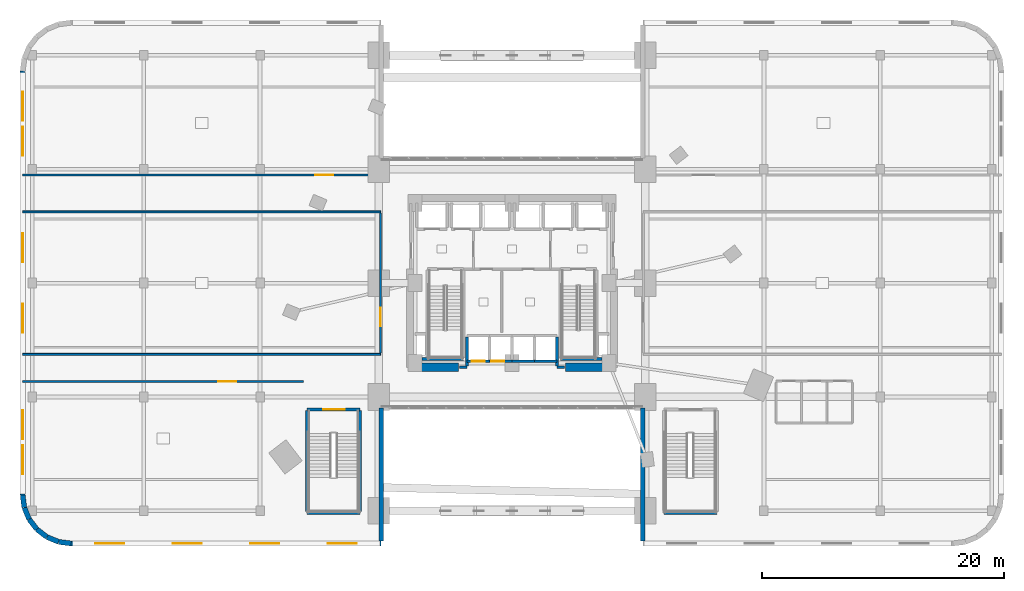
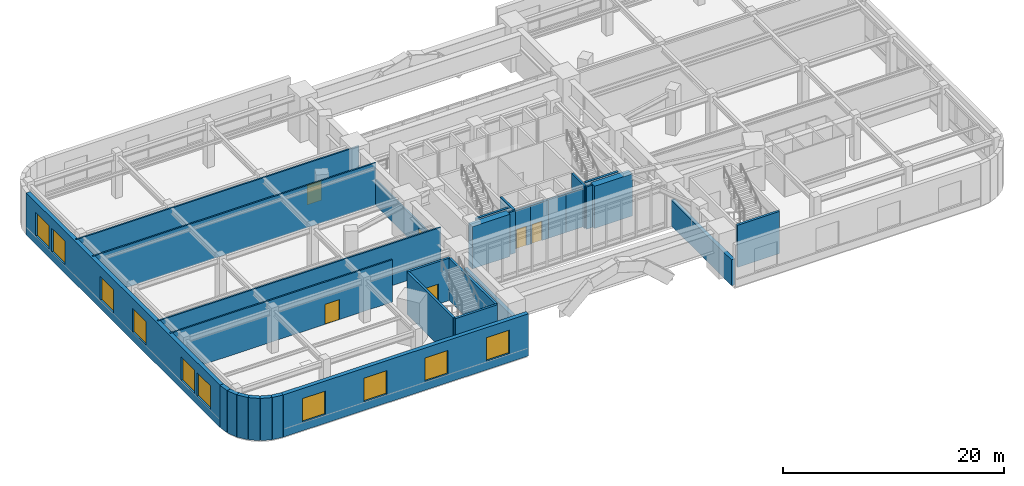
# One storey, part 19 of 25: 32 walls, 10 windows, 6 doors, 16 openings.
"""IFC4 building model written with IfcOpenShell, lengths in metres."""

import ifcopenshell
import ifcopenshell.guid

model = None  # the IFC model being written
_history = None  # IfcOwnerHistory: only IFC2X3 demands one
_inside = {}  # id of a spatial element -> (the spatial element, [elements in it])
_under = {}  # id of a project, library or spatial element -> (it, [spatial elements below it])
_declared = {}  # id of a project -> (the project, [libraries it declares])
_typed = {}  # id of a type object -> (the type object, [elements of that type])
_made_of = {}  # id of a material, layer set ... -> (it, [elements and type objects made of it])


def new_model(schema):
    """Start an empty IFC model of exactly this schema.

    Asked for "IFC4X3", IfcOpenShell would pick the latest addendum, in which some entities
    have other attributes; the version numbers below select the first issue.
    IFC2X3 requires an IfcOwnerHistory on every rooted entity: one is made here for all.
    """
    global model, _history
    if schema == "IFC4X3":
        model = ifcopenshell.file(schema_version=(4, 3, 0, 0))
    else:
        model = ifcopenshell.file(schema=schema)
    _inside.clear()
    _under.clear()
    _declared.clear()
    _typed.clear()
    _made_of.clear()
    _history = None
    if model.schema == "IFC2X3":
        org = make("IfcOrganization", Name="unknown")
        user = make(
            "IfcPersonAndOrganization",
            ThePerson=make("IfcPerson", FamilyName="unknown"),
            TheOrganization=org,
        )
        app = make(
            "IfcApplication",
            ApplicationDeveloper=org,
            Version="unknown",
            ApplicationFullName="unknown",
            ApplicationIdentifier="unknown",
        )
        _history = make(
            "IfcOwnerHistory",
            OwningUser=user,
            OwningApplication=app,
            ChangeAction="ADDED",
            CreationDate=0,
        )
    return model


def make(cls, **values):
    """One entity of the class cls with the attributes given. An attribute that is None is left unset."""
    return model.create_entity(
        cls, **{name: value for name, value in values.items() if value is not None}
    )


def rooted(cls, **values):
    """An entity with a GlobalId (a new one), such as an element, a storey or a relation."""
    return make(cls, GlobalId=ifcopenshell.guid.new(), OwnerHistory=_history, **values)


def si_unit(unit_type, name, prefix=None):
    """IfcSIUnit, for example si_unit("LENGTHUNIT", "METRE", prefix="MILLI")."""
    return make("IfcSIUnit", UnitType=unit_type, Prefix=prefix, Name=name)


def assignment(units):
    """IfcUnitAssignment: the units of a project."""
    return None if units is None else make("IfcUnitAssignment", Units=units)


def point(xyz):
    """IfcCartesianPoint."""
    return None if xyz is None else make("IfcCartesianPoint", Coordinates=xyz)


def direction(xyz):
    """IfcDirection."""
    return None if xyz is None else make("IfcDirection", DirectionRatios=xyz)


def frame(location, z_axis=None, x_axis=None):
    """IfcAxis2Placement3D, a coordinate frame: its origin and axes. An axis left out is left unset."""
    return make(
        "IfcAxis2Placement3D",
        Location=point(location),
        Axis=direction(z_axis),
        RefDirection=direction(x_axis),
    )


def frame_2d(location, x_axis=None):
    """IfcAxis2Placement2D, a coordinate frame in the plane: its origin and x axis."""
    return make(
        "IfcAxis2Placement2D", Location=point(location), RefDirection=direction(x_axis)
    )


def origin():
    """The frame at (0, 0, 0) with its axes left unset."""
    return frame((0.0, 0.0, 0.0))


def place(relative_to, where):
    """IfcLocalPlacement: puts the frame where relative to a parent placement (None: the world)."""
    return make(
        "IfcLocalPlacement", PlacementRelTo=relative_to, RelativePlacement=where
    )


def context(
    kind, dimensions, precision=None, world=None, true_north=None, identifier=None
):
    """IfcGeometricRepresentationContext, for example the 3D "Model" context."""
    return make(
        "IfcGeometricRepresentationContext",
        ContextIdentifier=identifier,
        ContextType=kind,
        CoordinateSpaceDimension=dimensions,
        Precision=precision,
        WorldCoordinateSystem=world,
        TrueNorth=true_north,
    )


def subcontext(parent, identifier, kind, view, scale=None):
    """IfcGeometricRepresentationSubContext, for example "Body" below "Model"."""
    return make(
        "IfcGeometricRepresentationSubContext",
        ContextIdentifier=identifier,
        ContextType=kind,
        ParentContext=parent,
        TargetScale=scale,
        TargetView=view,
    )


def project(units=None, contexts=None):
    """IfcProject with its units and contexts."""
    return rooted(
        "IfcProject",
        Name="project",
        RepresentationContexts=contexts,
        UnitsInContext=assignment(units),
    )


def spatial(cls, under=None, at=None, **own):
    """A site, building, storey or space (cls), placed at a placement, below another one or the project."""
    s = rooted(cls, ObjectPlacement=at, **own)
    if under is not None:
        _under.setdefault(under.id(), (under, []))[1].append(s)
    return s


def profile(cls, at=None, kind="AREA", **sizes):
    """A parametric profile (cls). Its sizes go by their IFC names, for example OverallWidth=200.0."""
    return make(cls, ProfileType=kind, Position=at, **sizes)


def rectangle(**sizes):
    """IfcRectangleProfileDef."""
    return profile("IfcRectangleProfileDef", **sizes)


def extrude(swept, where, along, depth):
    """IfcExtrudedAreaSolid: the profile swept, set in the frame where, extruded along a direction by depth."""
    return make(
        "IfcExtrudedAreaSolid",
        SweptArea=swept,
        Position=where,
        ExtrudedDirection=direction(along),
        Depth=depth,
    )


def shape(context_of_items, identifier, shape_type, items):
    """IfcShapeRepresentation: the items that make up one representation, for example the "Body"."""
    return make(
        "IfcShapeRepresentation",
        ContextOfItems=context_of_items,
        RepresentationIdentifier=identifier,
        RepresentationType=shape_type,
        Items=items,
    )


def material(Name=None, Category=None):
    """IfcMaterial."""
    return make("IfcMaterial", Name=Name, Category=Category)


def layer(
    of_material, thickness, ventilated=None, Name=None, Category=None, Priority=None
):
    """IfcMaterialLayer: one layer of a wall or slab, of a material (None: an air gap)."""
    return make(
        "IfcMaterialLayer",
        Material=of_material,
        LayerThickness=thickness,
        IsVentilated=ventilated,
        Name=Name,
        Category=Category,
        Priority=Priority,
    )


def layer_set(layers, Name=None):
    """IfcMaterialLayerSet."""
    return make("IfcMaterialLayerSet", MaterialLayers=layers, LayerSetName=Name)


def made_of(thing, what):
    """Note that an element or type object is made of a material, layer set ...; save() writes the relation."""
    if what is not None:
        _made_of.setdefault(what.id(), (what, []))[1].append(thing)
    return thing


def type_object(cls, material=None, **own):
    """A type object (cls), such as IfcWallType, which elements share."""
    return made_of(rooted(cls, **own), material)


def element(
    cls,
    number,
    at=None,
    inside=None,
    cuts=None,
    type_object=None,
    material=None,
    context=None,
    identifier="Body",
    shape_type=None,
    held_by="IfcProductDefinitionShape",
    body=None,
    shapes=None,
    **own,
):
    """One element of the class cls, such as IfcWall. Its Tag is "e" and its number.

    at: its placement. inside: the storey or other place that contains it. cuts: it is an
    opening in that element (IfcRelVoidsElement). A single representation is given by context,
    identifier, shape_type and body (its items); several are given by shapes. held_by: the class
    of the entity that holds the representations. save() writes the other relations.
    """
    e = rooted(cls, Tag="e%d" % number, ObjectPlacement=at, **own)
    if body is not None:
        shapes = [shape(context, identifier, shape_type, body)]
    if shapes is not None:
        e.Representation = make(held_by, Representations=shapes)
    if inside is not None:
        _inside.setdefault(inside.id(), (inside, []))[1].append(e)
    if cuts is not None:
        rooted(
            "IfcRelVoidsElement", RelatingBuildingElement=cuts, RelatedOpeningElement=e
        )
    if type_object is not None:
        _typed.setdefault(type_object.id(), (type_object, []))[1].append(e)
    return made_of(e, material)


def fill(opening, filler):
    """IfcRelFillsElement: the door or window that sits in an opening."""
    return rooted(
        "IfcRelFillsElement",
        RelatingOpeningElement=opening,
        RelatedBuildingElement=filler,
    )


def aggregate(whole, parts):
    """IfcRelAggregates: a whole, such as a stair, and the parts it consists of."""
    return rooted("IfcRelAggregates", RelatingObject=whole, RelatedObjects=parts)


def save(model, path):
    """Write the relations noted so far, then the file.

    IfcRelAggregates (storeys below a building ...), IfcRelContainedInSpatialStructure (elements
    in a storey), IfcRelDefinesByType, IfcRelAssociatesMaterial and IfcRelDeclares: one each for
    every whole, place, type object, material and project.
    """
    for whole, parts in _under.values():
        aggregate(whole, parts)
    for where, things in _inside.values():
        rooted(
            "IfcRelContainedInSpatialStructure",
            RelatedElements=things,
            RelatingStructure=where,
        )
    for kind, things in _typed.values():
        rooted("IfcRelDefinesByType", RelatedObjects=things, RelatingType=kind)
    for what, things in _made_of.values():
        rooted("IfcRelAssociatesMaterial", RelatedObjects=things, RelatingMaterial=what)
    for by, libraries in _declared.values():
        rooted("IfcRelDeclares", RelatingContext=by, RelatedDefinitions=libraries)
    model.write(path)


model = new_model("IFC4")

# Units and contexts
model_context = context("Model", 3, precision=1e-05, world=origin(), true_north=direction((0.0, 1.0)))
body_context = subcontext(model_context, "Body", "Model", "MODEL_VIEW")
ifc_project = project(units=[si_unit("LENGTHUNIT", "METRE"), si_unit("AREAUNIT", "SQUARE_METRE"), si_unit("VOLUMEUNIT", "CUBIC_METRE"), si_unit("PLANEANGLEUNIT", "RADIAN"), si_unit("MASSUNIT", "GRAM", prefix="KILO")], contexts=[model_context])

# Site, building, storey
site_placement = place(None, origin())
site = spatial("IfcSite", under=ifc_project, at=site_placement, CompositionType="ELEMENT")
building_placement = place(site_placement, origin())
building = spatial("IfcBuilding", under=site, at=building_placement, Name="Ndelora Gate Hotel", CompositionType="ELEMENT")
storey_placement = place(building_placement, frame((0.0, 0.0, 11.0)))
storey = spatial("IfcBuildingStorey", under=building, at=storey_placement, Name="L02", CompositionType="ELEMENT", Elevation=11.0)

# Walls
ifc_material_1 = material(Name="Clay Brick Masonry", Category="masonry")
ifc_layer_1 = layer(ifc_material_1, 0.360107421875)
ifc_layer_set_1 = layer_set([ifc_layer_1], Name="Clay Brick Masonry")
wall_type_1 = type_object("IfcWallType", Name="WL-BRICK-360", PredefinedType="SOLIDWALL", material=ifc_layer_set_1)
for number, where, z_axis, x_axis, name in (
    (1, (-10.800048828125, -21.2900390625, 0.0), (0.0, 0.0, 1.0), (0.0, 1.0, 0.0), "L02 Portal Arch Brick Return Wall SW-RET"),
    (2, (10.800048828125, -10.320068359375, 0.0), (0.0, 0.0, 1.0), (0.0, -1.0, 0.0), "L02 Portal Arch Brick Return Wall SE-RET"),
):
    element("IfcWall", number, at=place(storey_placement, frame(where, z_axis=z_axis, x_axis=x_axis)), inside=storey, type_object=wall_type_1, Name=name, PredefinedType="SOLIDWALL", context=body_context, shape_type="SweptSolid", body=[
        extrude(rectangle(XDim=10.969970703125, YDim=0.360107421875, at=frame_2d((5.48486328125, 0.0))), origin(), (0.0, 0.0, 1.0), 2.840087890625),
    ])

# Wall, openings, windows
ifc_layer_2 = layer(ifc_material_1, 0.419921875)
ifc_layer_set_2 = layer_set([ifc_layer_2], Name="Clay Brick Masonry")
wall_type_2 = type_object("IfcWallType", Name="WL-BRICK-420", PredefinedType="SOLIDWALL", material=ifc_layer_set_2)
wall_1_placement = place(storey_placement, frame((-40.39990234375, -17.5, 0.0), z_axis=(0.0, 0.0, 1.0), x_axis=(0.0, 1.0, 0.0)))
wall_1 = element("IfcWall", 3, at=wall_1_placement, inside=storey, type_object=wall_type_2, Name="L02 Exterior Brick Pier-and-Spandrel Wall 22", PredefinedType="SOLIDWALL", context=body_context, shape_type="SweptSolid", body=[
    extrude(rectangle(XDim=35.0, YDim=0.419921875, at=frame_2d((17.5, 0.0))), origin(), (0.0, 0.0, 1.0), 4.659912109375),
])
opening_1_placement = place(wall_1_placement, frame((1.716796875, 0.0, 0.949951171875)))
opening_1 = element("IfcOpeningElement", 4, at=opening_1_placement, cuts=wall_1, Name="Opening W04", PredefinedType="OPENING", context=body_context, shape_type="SweptSolid", body=[
    extrude(rectangle(XDim=2.39990234375, YDim=2.60009765625, at=frame_2d((1.199951171875, 1.300048828125))), frame((0.0, 0.219970703125, 0.0), z_axis=(0.0, -1.0, 0.0), x_axis=(1.0, 0.0, 0.0)), (0.0, 0.0, 1.0), 0.43994140625),
])
opening_2_placement = place(wall_1_placement, frame((4.60009765625, 0.0, 0.949951171875)))
opening_2 = element("IfcOpeningElement", 5, at=opening_2_placement, cuts=wall_1, Name="Opening W04", PredefinedType="OPENING", context=body_context, shape_type="SweptSolid", body=[
    extrude(rectangle(XDim=2.39990234375, YDim=2.60009765625, at=frame_2d((1.199951171875, 1.300048828125))), frame((0.0, 0.219970703125, 0.0), z_axis=(0.0, -1.0, 0.0), x_axis=(1.0, 0.0, 0.0)), (0.0, 0.0, 1.0), 0.43994140625),
])
opening_3_placement = place(wall_1_placement, frame((13.38330078125, 0.0, 0.949951171875)))
opening_3 = element("IfcOpeningElement", 6, at=opening_3_placement, cuts=wall_1, Name="Opening W04", PredefinedType="OPENING", context=body_context, shape_type="SweptSolid", body=[
    extrude(rectangle(XDim=2.39990234375, YDim=2.60009765625, at=frame_2d((1.199951171875, 1.300048828125))), frame((0.0, 0.219970703125, 0.0), z_axis=(0.0, -1.0, 0.0), x_axis=(1.0, 0.0, 0.0)), (0.0, 0.0, 1.0), 0.43994140625),
])
opening_4_placement = place(wall_1_placement, frame((19.216796875, 0.0, 0.949951171875)))
opening_4 = element("IfcOpeningElement", 7, at=opening_4_placement, cuts=wall_1, Name="Opening W04", PredefinedType="OPENING", context=body_context, shape_type="SweptSolid", body=[
    extrude(rectangle(XDim=2.39990234375, YDim=2.60009765625, at=frame_2d((1.199951171875, 1.300048828125))), frame((0.0, 0.219970703125, 0.0), z_axis=(0.0, -1.0, 0.0), x_axis=(1.0, 0.0, 0.0)), (0.0, 0.0, 1.0), 0.43994140625),
])
opening_5_placement = place(wall_1_placement, frame((28.0, 0.0, 0.949951171875)))
opening_5 = element("IfcOpeningElement", 8, at=opening_5_placement, cuts=wall_1, Name="Opening W04", PredefinedType="OPENING", context=body_context, shape_type="SweptSolid", body=[
    extrude(rectangle(XDim=2.39990234375, YDim=2.60009765625, at=frame_2d((1.199951171875, 1.300048828125))), frame((0.0, 0.219970703125, 0.0), z_axis=(0.0, -1.0, 0.0), x_axis=(1.0, 0.0, 0.0)), (0.0, 0.0, 1.0), 0.43994140625),
])
opening_6_placement = place(wall_1_placement, frame((30.88330078125, 0.0, 0.949951171875)))
opening_6 = element("IfcOpeningElement", 9, at=opening_6_placement, cuts=wall_1, Name="Opening W04", PredefinedType="OPENING", context=body_context, shape_type="SweptSolid", body=[
    extrude(rectangle(XDim=2.39990234375, YDim=2.60009765625, at=frame_2d((1.199951171875, 1.300048828125))), frame((0.0, 0.219970703125, 0.0), z_axis=(0.0, -1.0, 0.0), x_axis=(1.0, 0.0, 0.0)), (0.0, 0.0, 1.0), 0.43994140625),
])
ifc_material_2 = material(Name="Insulated Low-E Double Glazing in Bronze Aluminium Frame", Category="aluminium")
window_type = type_object("IfcWindowType", Name="WN-POD-2400", PartitioningType="SINGLE_PANEL", PredefinedType="WINDOW", material=ifc_material_2)
window_1_placement = place(opening_1_placement, origin())
window_1 = element("IfcWindow", 10, at=window_1_placement, inside=storey, type_object=window_type, Name="L02 Deep-Set Podium Brick-Frame Window W04", OverallHeight=2.60009765625, OverallWidth=2.39990234375, PartitioningType="SINGLE_PANEL", PredefinedType="WINDOW", context=body_context, shape_type="SweptSolid", body=[
    extrude(rectangle(XDim=2.39990234375, YDim=2.60009765625, at=frame_2d((1.199951171875, 1.300048828125))), frame((0.0, 0.030029296875, 0.0), z_axis=(0.0, -1.0, 0.0), x_axis=(1.0, 0.0, 0.0)), (0.0, 0.0, 1.0), 0.06005859375),
])
fill(opening_1, window_1)
window_2_placement = place(opening_2_placement, origin())
window_2 = element("IfcWindow", 11, at=window_2_placement, inside=storey, type_object=window_type, Name="L02 Deep-Set Podium Brick-Frame Window W04", OverallHeight=2.60009765625, OverallWidth=2.39990234375, PartitioningType="SINGLE_PANEL", PredefinedType="WINDOW", context=body_context, shape_type="SweptSolid", body=[
    extrude(rectangle(XDim=2.39990234375, YDim=2.60009765625, at=frame_2d((1.199951171875, 1.300048828125))), frame((0.0, 0.030029296875, 0.0), z_axis=(0.0, -1.0, 0.0), x_axis=(1.0, 0.0, 0.0)), (0.0, 0.0, 1.0), 0.06005859375),
])
fill(opening_2, window_2)
window_3_placement = place(opening_3_placement, origin())
window_3 = element("IfcWindow", 12, at=window_3_placement, inside=storey, type_object=window_type, Name="L02 Deep-Set Podium Brick-Frame Window W04", OverallHeight=2.60009765625, OverallWidth=2.39990234375, PartitioningType="SINGLE_PANEL", PredefinedType="WINDOW", context=body_context, shape_type="SweptSolid", body=[
    extrude(rectangle(XDim=2.39990234375, YDim=2.60009765625, at=frame_2d((1.199951171875, 1.300048828125))), frame((0.0, 0.030029296875, 0.0), z_axis=(0.0, -1.0, 0.0), x_axis=(1.0, 0.0, 0.0)), (0.0, 0.0, 1.0), 0.06005859375),
])
fill(opening_3, window_3)
window_4_placement = place(opening_4_placement, origin())
window_4 = element("IfcWindow", 13, at=window_4_placement, inside=storey, type_object=window_type, Name="L02 Deep-Set Podium Brick-Frame Window W04", OverallHeight=2.60009765625, OverallWidth=2.39990234375, PartitioningType="SINGLE_PANEL", PredefinedType="WINDOW", context=body_context, shape_type="SweptSolid", body=[
    extrude(rectangle(XDim=2.39990234375, YDim=2.60009765625, at=frame_2d((1.199951171875, 1.300048828125))), frame((0.0, 0.030029296875, 0.0), z_axis=(0.0, -1.0, 0.0), x_axis=(1.0, 0.0, 0.0)), (0.0, 0.0, 1.0), 0.06005859375),
])
fill(opening_4, window_4)
window_5_placement = place(opening_5_placement, origin())
window_5 = element("IfcWindow", 14, at=window_5_placement, inside=storey, type_object=window_type, Name="L02 Deep-Set Podium Brick-Frame Window W04", OverallHeight=2.60009765625, OverallWidth=2.39990234375, PartitioningType="SINGLE_PANEL", PredefinedType="WINDOW", context=body_context, shape_type="SweptSolid", body=[
    extrude(rectangle(XDim=2.39990234375, YDim=2.60009765625, at=frame_2d((1.199951171875, 1.300048828125))), frame((0.0, 0.030029296875, 0.0), z_axis=(0.0, -1.0, 0.0), x_axis=(1.0, 0.0, 0.0)), (0.0, 0.0, 1.0), 0.06005859375),
])
fill(opening_5, window_5)
window_6_placement = place(opening_6_placement, origin())
window_6 = element("IfcWindow", 15, at=window_6_placement, inside=storey, type_object=window_type, Name="L02 Deep-Set Podium Brick-Frame Window W04", OverallHeight=2.60009765625, OverallWidth=2.39990234375, PartitioningType="SINGLE_PANEL", PredefinedType="WINDOW", context=body_context, shape_type="SweptSolid", body=[
    extrude(rectangle(XDim=2.39990234375, YDim=2.60009765625, at=frame_2d((1.199951171875, 1.300048828125))), frame((0.0, 0.030029296875, 0.0), z_axis=(0.0, -1.0, 0.0), x_axis=(1.0, 0.0, 0.0)), (0.0, 0.0, 1.0), 0.06005859375),
])
fill(opening_6, window_6)

# Walls
wall_2_placement = place(storey_placement, frame((-40.263671875, -18.535400390625, 0.0), z_axis=(0.0, 0.0, 1.0), x_axis=(-0.130448465198, 0.991455091231, 0.0)))
element("IfcWall", 16, at=wall_2_placement, inside=storey, type_object=wall_type_2, Name="L02 Exterior Brick Pier-and-Spandrel Wall 23", PredefinedType="SOLIDWALL", context=body_context, shape_type="SweptSolid", body=[
    extrude(rectangle(XDim=1.04443359375, YDim=0.419921875, at=frame_2d((0.522216796875, 0.0))), origin(), (0.0, 0.0, 1.0), 4.659912109375),
])
wall_3_placement = place(storey_placement, frame((-39.864013671875, -19.5, 0.0), z_axis=(0.0, 0.0, 1.0), x_axis=(-0.382771688877, 0.923842970528, 0.0)))
element("IfcWall", 17, at=wall_3_placement, inside=storey, type_object=wall_type_2, Name="L02 Exterior Brick Pier-and-Spandrel Wall 24", PredefinedType="SOLIDWALL", context=body_context, shape_type="SweptSolid", body=[
    extrude(rectangle(XDim=1.044189453125, YDim=0.419921875, at=frame_2d((0.52197265625, 0.0))), origin(), (0.0, 0.0, 1.0), 4.659912109375),
])
wall_4_placement = place(storey_placement, frame((-39.228515625, -20.328369140625, 0.0), z_axis=(0.0, 0.0, 1.0), x_axis=(-0.608681879412, 0.793414374508, 0.0)))
element("IfcWall", 18, at=wall_4_placement, inside=storey, type_object=wall_type_2, Name="L02 Exterior Brick Pier-and-Spandrel Wall 25", PredefinedType="SOLIDWALL", context=body_context, shape_type="SweptSolid", body=[
    extrude(rectangle(XDim=1.0439453125, YDim=0.419921875, at=frame_2d((0.52197265625, 0.0))), origin(), (0.0, 0.0, 1.0), 4.659912109375),
])
wall_5_placement = place(storey_placement, frame((-38.39990234375, -20.964111328125, 0.0), z_axis=(0.0, 0.0, 1.0), x_axis=(-0.793388088797, 0.608716141198, 0.0)))
element("IfcWall", 19, at=wall_5_placement, inside=storey, type_object=wall_type_2, Name="L02 Exterior Brick Pier-and-Spandrel Wall 26", PredefinedType="SOLIDWALL", context=body_context, shape_type="SweptSolid", body=[
    extrude(rectangle(XDim=1.04443359375, YDim=0.419921875, at=frame_2d((0.522216796875, 0.0))), origin(), (0.0, 0.0, 1.0), 4.659912109375),
])
wall_6_placement = place(storey_placement, frame((-37.435302734375, -21.36376953125, 0.0), z_axis=(0.0, 0.0, 1.0), x_axis=(-0.923842970528, 0.382771688877, 0.0)))
element("IfcWall", 20, at=wall_6_placement, inside=storey, type_object=wall_type_2, Name="L02 Exterior Brick Pier-and-Spandrel Wall 27", PredefinedType="SOLIDWALL", context=body_context, shape_type="SweptSolid", body=[
    extrude(rectangle(XDim=1.044189453125, YDim=0.419921875, at=frame_2d((0.52197265625, 0.0))), origin(), (0.0, 0.0, 1.0), 4.659912109375),
])
wall_7_placement = place(storey_placement, frame((-36.39990234375, -21.5, 0.0), z_axis=(0.0, 0.0, 1.0), x_axis=(-0.991455091231, 0.130448465198, 0.0)))
element("IfcWall", 21, at=wall_7_placement, inside=storey, type_object=wall_type_2, Name="L02 Exterior Brick Pier-and-Spandrel Wall 28", PredefinedType="SOLIDWALL", context=body_context, shape_type="SweptSolid", body=[
    extrude(rectangle(XDim=1.04443359375, YDim=0.419921875, at=frame_2d((0.522216796875, 0.0))), origin(), (0.0, 0.0, 1.0), 4.659912109375),
])

# Wall, openings, windows
wall_8_placement = place(storey_placement, frame((-10.800048828125, -21.5, 0.0), z_axis=(0.0, 0.0, 1.0), x_axis=(-1.0, 0.0, 0.0)))
wall_8 = element("IfcWall", 22, at=wall_8_placement, inside=storey, type_object=wall_type_2, Name="L02 Exterior Brick Pier-and-Spandrel Wall 29", PredefinedType="SOLIDWALL", context=body_context, shape_type="SweptSolid", body=[
    extrude(rectangle(XDim=25.599853515625, YDim=0.419921875, at=frame_2d((12.7998046875, 0.0))), origin(), (0.0, 0.0, 1.0), 4.659912109375),
])
opening_7_placement = place(wall_8_placement, frame((2.0, 0.0, 0.949951171875)))
opening_7 = element("IfcOpeningElement", 23, at=opening_7_placement, cuts=wall_8, Name="Opening W04", PredefinedType="OPENING", context=body_context, shape_type="SweptSolid", body=[
    extrude(rectangle(XDim=2.39990234375, YDim=2.60009765625, at=frame_2d((1.199951171875, 1.300048828125))), frame((0.0, 0.219970703125, 0.0), z_axis=(0.0, -1.0, 0.0), x_axis=(1.0, 0.0, 0.0)), (0.0, 0.0, 1.0), 0.43994140625),
])
opening_8_placement = place(wall_8_placement, frame((8.39990234375, 0.0, 0.949951171875)))
opening_8 = element("IfcOpeningElement", 24, at=opening_8_placement, cuts=wall_8, Name="Opening W04", PredefinedType="OPENING", context=body_context, shape_type="SweptSolid", body=[
    extrude(rectangle(XDim=2.39990234375, YDim=2.60009765625, at=frame_2d((1.199951171875, 1.300048828125))), frame((0.0, 0.219970703125, 0.0), z_axis=(0.0, -1.0, 0.0), x_axis=(1.0, 0.0, 0.0)), (0.0, 0.0, 1.0), 0.43994140625),
])
opening_9_placement = place(wall_8_placement, frame((14.800048828125, 0.0, 0.949951171875)))
opening_9 = element("IfcOpeningElement", 25, at=opening_9_placement, cuts=wall_8, Name="Opening W04", PredefinedType="OPENING", context=body_context, shape_type="SweptSolid", body=[
    extrude(rectangle(XDim=2.39990234375, YDim=2.60009765625, at=frame_2d((1.199951171875, 1.300048828125))), frame((0.0, 0.219970703125, 0.0), z_axis=(0.0, -1.0, 0.0), x_axis=(1.0, 0.0, 0.0)), (0.0, 0.0, 1.0), 0.43994140625),
])
opening_10_placement = place(wall_8_placement, frame((21.199951171875, 0.0, 0.949951171875)))
opening_10 = element("IfcOpeningElement", 26, at=opening_10_placement, cuts=wall_8, Name="Opening W04", PredefinedType="OPENING", context=body_context, shape_type="SweptSolid", body=[
    extrude(rectangle(XDim=2.39990234375, YDim=2.60009765625, at=frame_2d((1.199951171875, 1.300048828125))), frame((0.0, 0.219970703125, 0.0), z_axis=(0.0, -1.0, 0.0), x_axis=(1.0, 0.0, 0.0)), (0.0, 0.0, 1.0), 0.43994140625),
])
window_7_placement = place(opening_7_placement, origin())
window_7 = element("IfcWindow", 27, at=window_7_placement, inside=storey, type_object=window_type, Name="L02 Deep-Set Podium Brick-Frame Window W04", OverallHeight=2.60009765625, OverallWidth=2.39990234375, PartitioningType="SINGLE_PANEL", PredefinedType="WINDOW", context=body_context, shape_type="SweptSolid", body=[
    extrude(rectangle(XDim=2.39990234375, YDim=2.60009765625, at=frame_2d((1.199951171875, 1.300048828125))), frame((0.0, 0.030029296875, 0.0), z_axis=(0.0, -1.0, 0.0), x_axis=(1.0, 0.0, 0.0)), (0.0, 0.0, 1.0), 0.06005859375),
])
fill(opening_7, window_7)
window_8_placement = place(opening_8_placement, origin())
window_8 = element("IfcWindow", 28, at=window_8_placement, inside=storey, type_object=window_type, Name="L02 Deep-Set Podium Brick-Frame Window W04", OverallHeight=2.60009765625, OverallWidth=2.39990234375, PartitioningType="SINGLE_PANEL", PredefinedType="WINDOW", context=body_context, shape_type="SweptSolid", body=[
    extrude(rectangle(XDim=2.39990234375, YDim=2.60009765625, at=frame_2d((1.199951171875, 1.300048828125))), frame((0.0, 0.030029296875, 0.0), z_axis=(0.0, -1.0, 0.0), x_axis=(1.0, 0.0, 0.0)), (0.0, 0.0, 1.0), 0.06005859375),
])
fill(opening_8, window_8)
window_9_placement = place(opening_9_placement, origin())
window_9 = element("IfcWindow", 29, at=window_9_placement, inside=storey, type_object=window_type, Name="L02 Deep-Set Podium Brick-Frame Window W04", OverallHeight=2.60009765625, OverallWidth=2.39990234375, PartitioningType="SINGLE_PANEL", PredefinedType="WINDOW", context=body_context, shape_type="SweptSolid", body=[
    extrude(rectangle(XDim=2.39990234375, YDim=2.60009765625, at=frame_2d((1.199951171875, 1.300048828125))), frame((0.0, 0.030029296875, 0.0), z_axis=(0.0, -1.0, 0.0), x_axis=(1.0, 0.0, 0.0)), (0.0, 0.0, 1.0), 0.06005859375),
])
fill(opening_9, window_9)
window_10_placement = place(opening_10_placement, origin())
window_10 = element("IfcWindow", 30, at=window_10_placement, inside=storey, type_object=window_type, Name="L02 Deep-Set Podium Brick-Frame Window W04", OverallHeight=2.60009765625, OverallWidth=2.39990234375, PartitioningType="SINGLE_PANEL", PredefinedType="WINDOW", context=body_context, shape_type="SweptSolid", body=[
    extrude(rectangle(XDim=2.39990234375, YDim=2.60009765625, at=frame_2d((1.199951171875, 1.300048828125))), frame((0.0, 0.030029296875, 0.0), z_axis=(0.0, -1.0, 0.0), x_axis=(1.0, 0.0, 0.0)), (0.0, 0.0, 1.0), 0.06005859375),
])
fill(opening_10, window_10)

# Walls
ifc_material_3 = material(Name="Concrete C60/75", Category="concrete")
ifc_layer_3 = layer(ifc_material_3, 0.699951171875)
ifc_layer_set_3 = layer_set([ifc_layer_3], Name="Concrete C60/75")
wall_type_3 = type_object("IfcWallType", Name="WL-CORE-700", PredefinedType="SHEAR", material=ifc_layer_set_3)
for number, where, z_axis, x_axis, name in (
    (31, (-8.35009765625, -6.949951171875, 0.0), (0.0, 0.0, 1.0), (1.0, 0.0, 0.0), "L02 Core Shear Wall S-W"),
    (32, (4.39990234375, -6.949951171875, 0.0), (0.0, 0.0, 1.0), (1.0, 0.0, 0.0), "L02 Core Shear Wall S-E"),
):
    element("IfcWall", number, at=place(storey_placement, frame(where, z_axis=z_axis, x_axis=x_axis)), inside=storey, type_object=wall_type_3, Name=name, PredefinedType="SHEAR", context=body_context, shape_type="SweptSolid", body=[
        extrude(rectangle(XDim=3.9501953125, YDim=0.699951171875, at=frame_2d((1.97509765625, 0.0))), origin(), (0.0, 0.0, 1.0), 4.659912109375),
    ])
ifc_material_4 = material(Name="Concrete C40/50", Category="concrete")
ifc_layer_4 = layer(ifc_material_4, 0.199951171875)
ifc_layer_set_4 = layer_set([ifc_layer_4], Name="Concrete C40/50")
wall_type_4 = type_object("IfcWallType", Name="WL-FIRE-200", PredefinedType="PARTITIONING", material=ifc_layer_set_4)
for number, where, z_axis, x_axis, name in (
    (33, (-4.320068359375, -6.949951171875, 0.0), (0.0, 0.0, 1.0), (1.0, 0.0, 0.0), "L02 Interior Wall IW-2"),
    (34, (3.719970703125, -6.949951171875, 0.0), (0.0, 0.0, 1.0), (1.0, 0.0, 0.0), "L02 Interior Wall IW-2"),
):
    element("IfcWall", number, at=place(storey_placement, frame(where, z_axis=z_axis, x_axis=x_axis)), inside=storey, type_object=wall_type_4, Name=name, PredefinedType="PARTITIONING", context=body_context, shape_type="SweptSolid", body=[
        extrude(rectangle(XDim=0.60009765625, YDim=0.199951171875, at=frame_2d((0.300048828125, 0.0))), origin(), (0.0, 0.0, 1.0), 4.659912109375),
    ])
ifc_material_5 = material(Name="Fire-Rated Gypsum Stud Partition", Category="gypsum")
ifc_layer_5 = layer(ifc_material_5, 0.159912109375)
ifc_layer_set_5 = layer_set([ifc_layer_5], Name="Fire-Rated Gypsum Stud Partition")
wall_type_5 = type_object("IfcWallType", Name="WL-PART-160", PredefinedType="PARTITIONING", material=ifc_layer_set_5)
for number, where, z_axis, x_axis, name in (
    (35, (-10.85009765625, 5.8798828125, 0.0), (0.0, 0.0, 1.0), (-1.0, 0.0, 0.0), "L02 Interior Wall IW-4"),
    (36, (-40.39990234375, -5.8798828125, 0.0), (0.0, 0.0, 1.0), (1.0, 0.0, 0.0), "L02 Interior Wall IW-4"),
):
    element("IfcWall", number, at=place(storey_placement, frame(where, z_axis=z_axis, x_axis=x_axis)), inside=storey, type_object=wall_type_5, Name=name, PredefinedType="PARTITIONING", context=body_context, shape_type="SweptSolid", body=[
        extrude(rectangle(XDim=29.5498046875, YDim=0.159912109375, at=frame_2d((14.77490234375, 0.0))), origin(), (0.0, 0.0, 1.0), 4.659912109375),
    ])

# Wall, opening, door
wall_9_placement = place(storey_placement, frame((-10.85009765625, -5.780029296875, 0.0), z_axis=(0.0, 0.0, 1.0), x_axis=(0.0, 1.0, 0.0)))
wall_9 = element("IfcWall", 37, at=wall_9_placement, inside=storey, type_object=wall_type_5, Name="L02 Interior Wall IW-4", PredefinedType="PARTITIONING", context=body_context, shape_type="SweptSolid", body=[
    extrude(rectangle(XDim=11.56005859375, YDim=0.159912109375, at=frame_2d((5.780029296875, 0.0))), origin(), (0.0, 0.0, 1.0), 2.840087890625),
])
opening_11_placement = place(wall_9_placement, frame((2.22998046875, 0.0, 0.0)))
opening_11 = element("IfcOpeningElement", 38, at=opening_11_placement, cuts=wall_9, Name="Opening D06", PredefinedType="OPENING", context=body_context, shape_type="SweptSolid", body=[
    extrude(rectangle(XDim=1.5, YDim=2.199951171875, at=frame_2d((0.75, 1.10009765625))), frame((0.0, 0.08984375, 0.0), z_axis=(0.0, -1.0, 0.0), x_axis=(1.0, 0.0, 0.0)), (0.0, 0.0, 1.0), 0.179931640625),
])
ifc_material_6 = material(Name="Podium Salon Double Leaf Door", Category="wood")
door_type_1 = type_object("IfcDoorType", Name="DR-POD-1500", OperationType="DOUBLE_DOOR_SINGLE_SWING", PredefinedType="DOOR", material=ifc_material_6)
door_1_placement = place(opening_11_placement, origin())
door_1 = element("IfcDoor", 39, at=door_1_placement, inside=storey, type_object=door_type_1, Name="L02 Portal Arch Sculpture Salon Door", OperationType="DOUBLE_DOOR_SINGLE_SWING", OverallHeight=2.199951171875, OverallWidth=1.5, PredefinedType="DOOR", context=body_context, shape_type="SweptSolid", body=[
    extrude(rectangle(XDim=1.5, YDim=2.199951171875, at=frame_2d((0.75, 1.10009765625))), frame((0.0, 0.02490234375, 0.0), z_axis=(0.0, -1.0, 0.0), x_axis=(1.0, 0.0, 0.0)), (0.0, 0.0, 1.0), 0.050048828125),
])
fill(opening_11, door_1)

wall_10_placement = place(storey_placement, frame((-40.39990234375, 8.919921875, 0.0), z_axis=(0.0, 0.0, 1.0), x_axis=(1.0, 0.0, 0.0)))
wall_10 = element("IfcWall", 40, at=wall_10_placement, inside=storey, type_object=wall_type_5, Name="L02 Interior Wall IW-4", PredefinedType="PARTITIONING", context=body_context, shape_type="SweptSolid", body=[
    extrude(rectangle(XDim=29.5498046875, YDim=0.159912109375, at=frame_2d((14.77490234375, 0.0))), origin(), (0.0, 0.0, 1.0), 4.659912109375),
])
opening_12_placement = place(wall_10_placement, frame((24.14990234375, 0.0, 0.0)))
opening_12 = element("IfcOpeningElement", 41, at=opening_12_placement, cuts=wall_10, Name="Opening D06", PredefinedType="OPENING", context=body_context, shape_type="SweptSolid", body=[
    extrude(rectangle(XDim=1.5, YDim=2.199951171875, at=frame_2d((0.75, 1.10009765625))), frame((0.0, 0.08984375, 0.0), z_axis=(0.0, -1.0, 0.0), x_axis=(1.0, 0.0, 0.0)), (0.0, 0.0, 1.0), 0.179931640625),
])
door_2_placement = place(opening_12_placement, origin())
door_2 = element("IfcDoor", 42, at=door_2_placement, inside=storey, type_object=door_type_1, Name="L02 Executive Diplomatic Boardroom Door", OperationType="DOUBLE_DOOR_SINGLE_SWING", OverallHeight=2.199951171875, OverallWidth=1.5, PredefinedType="DOOR", context=body_context, shape_type="SweptSolid", body=[
    extrude(rectangle(XDim=1.5, YDim=2.199951171875, at=frame_2d((0.75, 1.10009765625))), frame((0.0, 0.02490234375, 0.0), z_axis=(0.0, -1.0, 0.0), x_axis=(1.0, 0.0, 0.0)), (0.0, 0.0, 1.0), 0.050048828125),
])
fill(opening_12, door_2)

wall_11_placement = place(storey_placement, frame((-17.199951171875, -8.1201171875, 0.0), z_axis=(0.0, 0.0, 1.0), x_axis=(-1.0, 0.0, 0.0)))
wall_11 = element("IfcWall", 43, at=wall_11_placement, inside=storey, type_object=wall_type_5, Name="L02 Interior Wall IW-4", PredefinedType="PARTITIONING", context=body_context, shape_type="SweptSolid", body=[
    extrude(rectangle(XDim=23.199951171875, YDim=0.159912109375, at=frame_2d((11.60009765625, 0.0))), origin(), (0.0, 0.0, 1.0), 4.659912109375),
])
opening_13_placement = place(wall_11_placement, frame((5.550048828125, 0.0, 0.0)))
opening_13 = element("IfcOpeningElement", 44, at=opening_13_placement, cuts=wall_11, Name="Opening D06", PredefinedType="OPENING", context=body_context, shape_type="SweptSolid", body=[
    extrude(rectangle(XDim=1.5, YDim=2.199951171875, at=frame_2d((0.75, 1.10009765625))), frame((0.0, 0.08984375, 0.0), z_axis=(0.0, -1.0, 0.0), x_axis=(1.0, 0.0, 0.0)), (0.0, 0.0, 1.0), 0.179931640625),
])
door_3_placement = place(opening_13_placement, origin())
door_3 = element("IfcDoor", 45, at=door_3_placement, inside=storey, type_object=door_type_1, Name="L02 Private Sommelier Tasting Room Door", OperationType="DOUBLE_DOOR_SINGLE_SWING", OverallHeight=2.199951171875, OverallWidth=1.5, PredefinedType="DOOR", context=body_context, shape_type="SweptSolid", body=[
    extrude(rectangle(XDim=1.5, YDim=2.199951171875, at=frame_2d((0.75, 1.10009765625))), frame((0.0, 0.02490234375, 0.0), z_axis=(0.0, -1.0, 0.0), x_axis=(1.0, 0.0, 0.0)), (0.0, 0.0, 1.0), 0.050048828125),
])
fill(opening_13, door_3)

ifc_layer_6 = layer(ifc_material_4, 0.219970703125)
ifc_layer_set_6 = layer_set([ifc_layer_6], Name="Concrete C40/50")
wall_type_6 = type_object("IfcWallType", Name="WL-SHAFT-220", PredefinedType="PARTITIONING", material=ifc_layer_set_6)
wall_12_placement = place(storey_placement, frame((-3.719970703125, -6.449951171875, 0.0), z_axis=(0.0, 0.0, 1.0), x_axis=(1.0, 0.0, 0.0)))
wall_12 = element("IfcWall", 46, at=wall_12_placement, inside=storey, type_object=wall_type_6, Name="L02 Interior Wall IW-1", PredefinedType="PARTITIONING", context=body_context, shape_type="SweptSolid", body=[
    extrude(rectangle(XDim=1.85986328125, YDim=0.219970703125, at=frame_2d((0.929931640625, 0.0))), origin(), (0.0, 0.0, 1.0), 4.239990234375),
])
opening_14_placement = place(wall_12_placement, frame((0.39990234375, 0.0, 0.0)))
opening_14 = element("IfcOpeningElement", 47, at=opening_14_placement, cuts=wall_12, Name="Opening LD1", PredefinedType="OPENING", context=body_context, shape_type="SweptSolid", body=[
    extrude(rectangle(XDim=1.06005859375, YDim=2.14990234375, at=frame_2d((0.530029296875, 1.074951171875))), frame((0.0, 0.1201171875, 0.0), z_axis=(0.0, -1.0, 0.0), x_axis=(1.0, 0.0, 0.0)), (0.0, 0.0, 1.0), 0.239990234375),
])
ifc_material_7 = material(Name="Brushed Bronze Stainless Lift Landing Door", Category="metal")
door_type_2 = type_object("IfcDoorType", Name="DR-LD1", OperationType="DOUBLE_DOOR_SLIDING", PredefinedType="DOOR", material=ifc_material_7)
door_4_placement = place(opening_14_placement, origin())
door_4 = element("IfcDoor", 48, at=door_4_placement, inside=storey, type_object=door_type_2, Name="L02 Lift Landing Sliding Door P1A", OperationType="DOUBLE_DOOR_SLIDING", OverallHeight=2.14990234375, OverallWidth=1.06005859375, PredefinedType="DOOR", context=body_context, shape_type="SweptSolid", body=[
    extrude(rectangle(XDim=1.06005859375, YDim=2.14990234375, at=frame_2d((0.530029296875, 1.074951171875))), frame((0.0, 0.02490234375, 0.0), z_axis=(0.0, -1.0, 0.0), x_axis=(1.0, 0.0, 0.0)), (0.0, 0.0, 1.0), 0.050048828125),
])
fill(opening_14, door_4)

# Wall
wall_13_placement = place(storey_placement, frame((-3.719970703125, -6.830078125, 0.0), z_axis=(0.0, 0.0, 1.0), x_axis=(0.0, 1.0, 0.0)))
element("IfcWall", 49, at=wall_13_placement, inside=storey, type_object=wall_type_6, Name="L02 Interior Wall IW-1", PredefinedType="PARTITIONING", context=body_context, shape_type="SweptSolid", body=[
    extrude(rectangle(XDim=2.360107421875, YDim=0.219970703125, at=frame_2d((1.18017578125, 0.0))), origin(), (0.0, 0.0, 1.0), 4.659912109375),
])

# Wall, opening, door
wall_14_placement = place(storey_placement, frame((-1.860107421875, -6.449951171875, 0.0), z_axis=(0.0, 0.0, 1.0), x_axis=(1.0, 0.0, 0.0)))
wall_14 = element("IfcWall", 50, at=wall_14_placement, inside=storey, type_object=wall_type_6, Name="L02 Interior Wall IW-1", PredefinedType="PARTITIONING", context=body_context, shape_type="SweptSolid", body=[
    extrude(rectangle(XDim=1.860107421875, YDim=0.219970703125, at=frame_2d((0.93017578125, 0.0))), origin(), (0.0, 0.0, 1.0), 4.239990234375),
])
opening_15_placement = place(wall_14_placement, frame((0.139892578125, 0.0, 0.0)))
opening_15 = element("IfcOpeningElement", 51, at=opening_15_placement, cuts=wall_14, Name="Opening LD1", PredefinedType="OPENING", context=body_context, shape_type="SweptSolid", body=[
    extrude(rectangle(XDim=1.06005859375, YDim=2.14990234375, at=frame_2d((0.530029296875, 1.074951171875))), frame((0.0, 0.1201171875, 0.0), z_axis=(0.0, -1.0, 0.0), x_axis=(1.0, 0.0, 0.0)), (0.0, 0.0, 1.0), 0.239990234375),
])
door_5_placement = place(opening_15_placement, origin())
door_5 = element("IfcDoor", 52, at=door_5_placement, inside=storey, type_object=door_type_2, Name="L02 Lift Landing Sliding Door P1B", OperationType="DOUBLE_DOOR_SLIDING", OverallHeight=2.14990234375, OverallWidth=1.06005859375, PredefinedType="DOOR", context=body_context, shape_type="SweptSolid", body=[
    extrude(rectangle(XDim=1.06005859375, YDim=2.14990234375, at=frame_2d((0.530029296875, 1.074951171875))), frame((0.0, 0.02490234375, 0.0), z_axis=(0.0, -1.0, 0.0), x_axis=(1.0, 0.0, 0.0)), (0.0, 0.0, 1.0), 0.050048828125),
])
fill(opening_15, door_5)

# Walls
wall_15_placement = place(storey_placement, frame((0.0, -6.449951171875, 0.0), z_axis=(0.0, 0.0, 1.0), x_axis=(1.0, 0.0, 0.0)))
element("IfcWall", 53, at=wall_15_placement, inside=storey, type_object=wall_type_6, Name="L02 Interior Wall IW-1", PredefinedType="PARTITIONING", context=body_context, shape_type="SweptSolid", body=[
    extrude(rectangle(XDim=1.860107421875, YDim=0.219970703125, at=frame_2d((0.93017578125, 0.0))), origin(), (0.0, 0.0, 1.0), 4.239990234375),
])
wall_16_placement = place(storey_placement, frame((1.860107421875, -6.449951171875, 0.0), z_axis=(0.0, 0.0, 1.0), x_axis=(1.0, 0.0, 0.0)))
element("IfcWall", 54, at=wall_16_placement, inside=storey, type_object=wall_type_6, Name="L02 Interior Wall IW-1", PredefinedType="PARTITIONING", context=body_context, shape_type="SweptSolid", body=[
    extrude(rectangle(XDim=1.85986328125, YDim=0.219970703125, at=frame_2d((0.929931640625, 0.0))), origin(), (0.0, 0.0, 1.0), 4.239990234375),
])
wall_17_placement = place(storey_placement, frame((3.719970703125, -6.830078125, 0.0), z_axis=(0.0, 0.0, 1.0), x_axis=(0.0, 1.0, 0.0)))
element("IfcWall", 55, at=wall_17_placement, inside=storey, type_object=wall_type_6, Name="L02 Interior Wall IW-1", PredefinedType="PARTITIONING", context=body_context, shape_type="SweptSolid", body=[
    extrude(rectangle(XDim=2.360107421875, YDim=0.219970703125, at=frame_2d((1.18017578125, 0.0))), origin(), (0.0, 0.0, 1.0), 4.659912109375),
])
ifc_material_8 = material(Name="Concrete C50/60", Category="concrete")
ifc_layer_7 = layer(ifc_material_8, 0.239990234375)
ifc_layer_set_7 = layer_set([ifc_layer_7], Name="Concrete C50/60")
wall_type_7 = type_object("IfcWallType", Name="WL-STAIR-240", PredefinedType="SHEAR", material=ifc_layer_set_7)
for number, where, z_axis, x_axis, name in (
    (56, (-7.425048828125, -6.27001953125, 0.0), (0.0, 0.0, 1.0), (1.0, 0.0, 0.0), "L02 Stair Core Shear Wall SW-ST"),
    (57, (4.010009765625, -6.27001953125, 0.0), (0.0, 0.0, 1.0), (1.0, 0.0, 0.0), "L02 Stair Core Shear Wall SW-ST"),
):
    element("IfcWall", number, at=place(storey_placement, frame(where, z_axis=z_axis, x_axis=x_axis)), inside=storey, type_object=wall_type_7, Name=name, PredefinedType="SHEAR", context=body_context, shape_type="SweptSolid", body=[
        extrude(rectangle(XDim=3.4150390625, YDim=0.239990234375, at=frame_2d((1.70751953125, 0.0))), origin(), (0.0, 0.0, 1.0), 4.659912109375),
    ])
for number, where, z_axis, x_axis, name in (
    (58, (-16.919921875, -18.860107421875, 0.0), (0.0, 0.0, 1.0), (0.0, 1.0, 0.0), "L02 Stair Core Shear Wall SW-ST"),
    (59, (-12.5400390625, -18.860107421875, 0.0), (0.0, 0.0, 1.0), (0.0, 1.0, 0.0), "L02 Stair Core Shear Wall SW-ST"),
):
    element("IfcWall", number, at=place(storey_placement, frame(where, z_axis=z_axis, x_axis=x_axis)), inside=storey, type_object=wall_type_7, Name=name, PredefinedType="SHEAR", context=body_context, shape_type="SweptSolid", body=[
        extrude(rectangle(XDim=8.320068359375, YDim=0.239990234375, at=frame_2d((4.16015625, 0.0))), origin(), (0.0, 0.0, 1.0), 4.659912109375),
    ])
wall_18_placement = place(storey_placement, frame((-16.919921875, -18.969970703125, 0.0), z_axis=(0.0, 0.0, 1.0), x_axis=(1.0, 0.0, 0.0)))
element("IfcWall", 60, at=wall_18_placement, inside=storey, type_object=wall_type_7, Name="L02 Stair Core Shear Wall SW-ST", PredefinedType="SHEAR", context=body_context, shape_type="SweptSolid", body=[
    extrude(rectangle(XDim=4.3798828125, YDim=0.239990234375, at=frame_2d((2.18994140625, 0.0))), origin(), (0.0, 0.0, 1.0), 4.659912109375),
])

# Wall, opening, door
wall_19_placement = place(storey_placement, frame((-12.5400390625, -10.429931640625, 0.0), z_axis=(0.0, 0.0, 1.0), x_axis=(-1.0, 0.0, 0.0)))
wall_19 = element("IfcWall", 61, at=wall_19_placement, inside=storey, type_object=wall_type_7, Name="L02 Stair Core Shear Wall SW-ST", PredefinedType="SHEAR", context=body_context, shape_type="SweptSolid", body=[
    extrude(rectangle(XDim=4.3798828125, YDim=0.239990234375, at=frame_2d((2.18994140625, 0.0))), origin(), (0.0, 0.0, 1.0), 4.659912109375),
])
opening_16_placement = place(wall_19_placement, frame((1.25, 0.0, 0.0)))
opening_16 = element("IfcOpeningElement", 62, at=opening_16_placement, cuts=wall_19, Name="Opening FD2", PredefinedType="OPENING", context=body_context, shape_type="SweptSolid", body=[
    extrude(rectangle(XDim=1.800048828125, YDim=2.199951171875, at=frame_2d((0.89990234375, 1.10009765625))), frame((0.0, 0.1298828125, 0.0), z_axis=(0.0, -1.0, 0.0), x_axis=(1.0, 0.0, 0.0)), (0.0, 0.0, 1.0), 0.260009765625),
])
ifc_material_9 = material(Name="Fire-Rated Double Exit Door", Category="wood")
door_type_3 = type_object("IfcDoorType", Name="DR-DBL-1800", OperationType="DOUBLE_DOOR_SINGLE_SWING", PredefinedType="DOOR", material=ifc_material_9)
door_6_placement = place(opening_16_placement, origin())
door_6 = element("IfcDoor", 63, at=door_6_placement, inside=storey, type_object=door_type_3, Name="L02 Ballroom Stair ST3A Door", OperationType="DOUBLE_DOOR_SINGLE_SWING", OverallHeight=2.199951171875, OverallWidth=1.800048828125, PredefinedType="DOOR", context=body_context, shape_type="SweptSolid", body=[
    extrude(rectangle(XDim=1.800048828125, YDim=2.199951171875, at=frame_2d((0.89990234375, 1.10009765625))), frame((0.0, 0.02490234375, 0.0), z_axis=(0.0, -1.0, 0.0), x_axis=(1.0, 0.0, 0.0)), (0.0, 0.0, 1.0), 0.050048828125),
])
fill(opening_16, door_6)

# Wall
wall_20_placement = place(storey_placement, frame((12.5400390625, -18.969970703125, 0.0), z_axis=(0.0, 0.0, 1.0), x_axis=(1.0, 0.0, 0.0)))
element("IfcWall", 64, at=wall_20_placement, inside=storey, type_object=wall_type_7, Name="L02 Stair Core Shear Wall SW-ST", PredefinedType="SHEAR", context=body_context, shape_type="SweptSolid", body=[
    extrude(rectangle(XDim=4.3798828125, YDim=0.239990234375, at=frame_2d((2.18994140625, 0.0))), origin(), (0.0, 0.0, 1.0), 4.659912109375),
])

save(model, "model.ifc")
